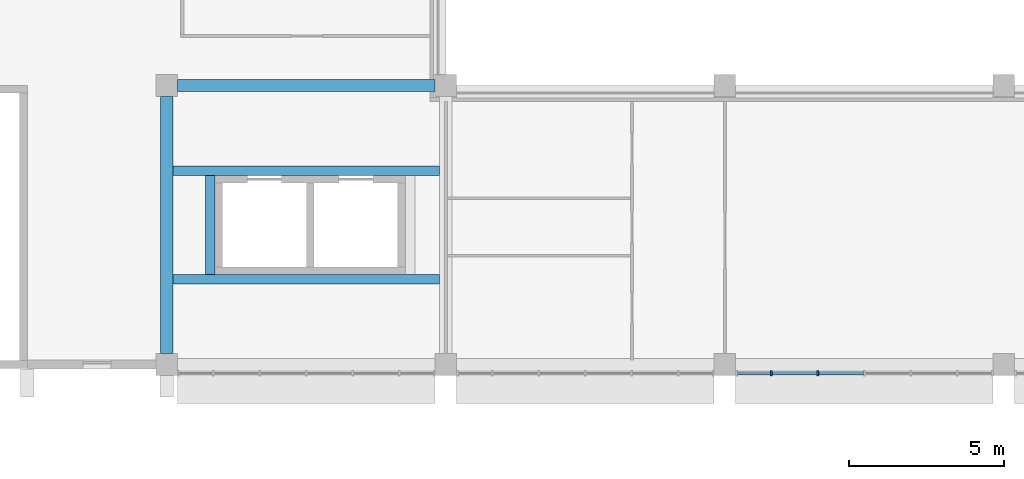
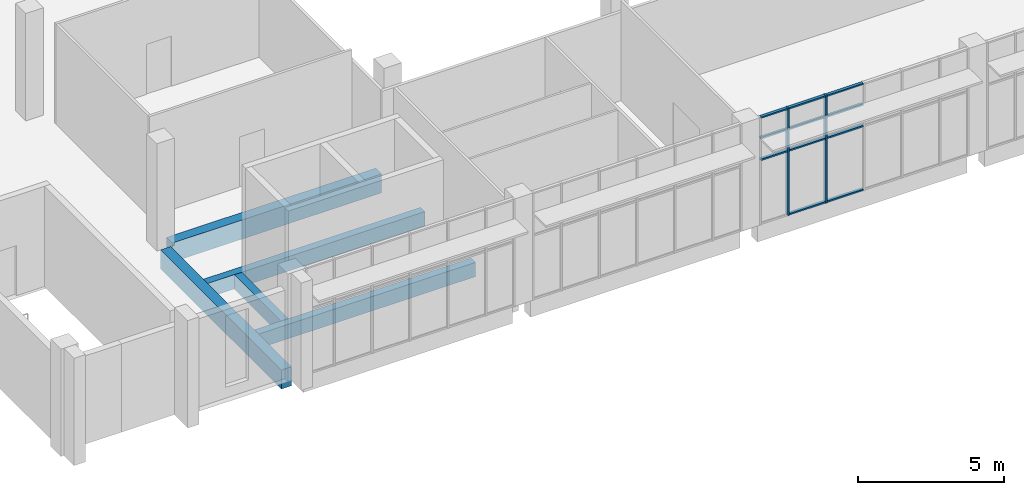
# One storey, part 3 of 40: 13 members, 5 beams, 1 element without a shape of its own.
"""IFC4 building model written with IfcOpenShell, lengths in metres."""

from ifc_helpers import new_model, si_unit, direction, frame, origin, origin_2d, place, context, subcontext, project, spatial, rectangle, extrude, material, layer, layer_set, material_profile, profile_set, type_object, element, aggregate, save


model = new_model("IFC4")

# Units and contexts
model_context = context("Model", 3, precision=1e-05, world=origin(), true_north=direction((0.0, 1.0)))
body_context = subcontext(model_context, "Body", "Model", "MODEL_VIEW")
ifc_project = project(units=[si_unit("LENGTHUNIT", "METRE"), si_unit("AREAUNIT", "SQUARE_METRE"), si_unit("VOLUMEUNIT", "CUBIC_METRE"), si_unit("PLANEANGLEUNIT", "RADIAN"), si_unit("MASSUNIT", "GRAM", prefix="KILO")], contexts=[model_context])

# Site, building, storey
site_placement = place(None, origin())
site = spatial("IfcSite", under=ifc_project, at=site_placement, CompositionType="ELEMENT")
building_placement = place(site_placement, origin())
building = spatial("IfcBuilding", under=site, at=building_placement, Name="Guidao Yard Department Store", CompositionType="ELEMENT")
storey_placement = place(building_placement, frame((0.0, 0.0, 24.0)))
storey = spatial("IfcBuildingStorey", under=building, at=storey_placement, Name="L05", CompositionType="ELEMENT", Elevation=24.0)

# Beams
ifc_material_1 = material(Name="Concrete C40", Category="concrete")
ifc_material_profile_1 = material_profile(ifc_material_1, rectangle(XDim=0.39990234375, YDim=0.800048828125, at=origin_2d()), Name="Edge beam 400 x 800 C40")
ifc_profile_set_1 = profile_set([ifc_material_profile_1], Name="Concrete C40")
beam_type_1 = type_object("IfcBeamType", Name="Edge beam 400 x 800 C40", PredefinedType="BEAM", material=ifc_profile_set_1)
for number, where, z_axis, x_axis, name in (
    (1, (9.35009765625, 54.0, -0.39990234375), (1.0, 0.0, 0.0), (0.0, 1.0, 0.0), "Beam EB31"),
    (2, (9.0, 45.35009765625, -0.39990234375), (0.0, 1.0, 0.0), (-1.0, 0.0, 0.0), "Beam EB32"),
):
    element("IfcBeam", number, at=place(storey_placement, frame(where, z_axis=z_axis, x_axis=x_axis)), inside=storey, type_object=beam_type_1, Name=name, PredefinedType="BEAM", context=body_context, shape_type="SweptSolid", body=[
        extrude(rectangle(XDim=0.39990234375, YDim=0.800048828125, at=origin_2d()), origin(), (0.0, 0.0, 1.0), 8.2998046875),
    ])

# Curtain wall, members
ifc_material_2 = material(Name="Aluminium and glass", Category="aluminium")
ifc_layer = layer(ifc_material_2, 0.159912109375)
ifc_layer_set = layer_set([ifc_layer], Name="Hall front curtain wall CW2 1500 module")
curtain_wall_type = type_object("IfcCurtainWallType", Name="Hall front curtain wall CW2 1500 module", PredefinedType="NOTDEFINED", material=ifc_layer_set)
curtain_wall_placement = place(storey_placement, origin())
curtain_wall = element("IfcCurtainWall", 3, at=curtain_wall_placement, inside=storey, type_object=curtain_wall_type, Name="Hall front curtain wall", PredefinedType="NOTDEFINED")
ifc_material_3 = material(Name="Aluminium 6063-T5", Category="aluminium")
ifc_material_profile_2 = material_profile(ifc_material_3, rectangle(XDim=0.06005859375, YDim=0.159912109375, at=origin_2d()), Name="Mullion M1 60 x 160 aluminium pressure plate")
ifc_profile_set_2 = profile_set([ifc_material_profile_2], Name="Aluminium 6063-T5")
member_type_1 = type_object("IfcMemberType", Name="Mullion M1 60 x 160 aluminium pressure plate", PredefinedType="MULLION", material=ifc_profile_set_2)
member_1_placement = place(storey_placement, frame((28.5, 44.719970703125, 0.0), z_axis=(0.0, 0.0, 1.0), x_axis=(-1.0, 0.0, 0.0)))
member_1 = element("IfcMember", 4, at=member_1_placement, type_object=member_type_1, Name="CW-HF-L05-03 mullion 2", PredefinedType="MULLION", context=body_context, shape_type="SweptSolid", body=[
    extrude(rectangle(XDim=0.06005859375, YDim=0.159912109375, at=origin_2d()), origin(), (0.0, 0.0, 1.0), 4.5),
])
member_2_placement = place(storey_placement, frame((30.0, 44.719970703125, 0.0), z_axis=(0.0, 0.0, 1.0), x_axis=(-1.0, 0.0, 0.0)))
member_2 = element("IfcMember", 5, at=member_2_placement, type_object=member_type_1, Name="CW-HF-L05-03 mullion 3", PredefinedType="MULLION", context=body_context, shape_type="SweptSolid", body=[
    extrude(rectangle(XDim=0.06005859375, YDim=0.159912109375, at=origin_2d()), origin(), (0.0, 0.0, 1.0), 4.5),
])

# Beams
ifc_material_4 = material(Name="Concrete C40", Category="concrete")
ifc_material_profile_3 = material_profile(ifc_material_4, rectangle(XDim=0.300048828125, YDim=0.60009765625, at=origin_2d()), Name="Opening beam 300 x 600 C40")
ifc_profile_set_3 = profile_set([ifc_material_profile_3], Name="Concrete C40")
beam_type_2 = type_object("IfcBeamType", Name="Opening beam 300 x 600 C40", PredefinedType="BEAM", material=ifc_profile_set_3)
for number, where, z_axis, x_axis, name in (
    (6, (9.199951171875, 47.75, -0.300048828125), (1.0, 0.0, 0.0), (0.0, 1.0, 0.0), "Beam OB01"),
    (7, (9.199951171875, 51.25, -0.300048828125), (1.0, 0.0, 0.0), (0.0, 1.0, 0.0), "Beam OB02"),
):
    element("IfcBeam", number, at=place(storey_placement, frame(where, z_axis=z_axis, x_axis=x_axis)), inside=storey, type_object=beam_type_2, Name=name, PredefinedType="BEAM", context=body_context, shape_type="SweptSolid", body=[
        extrude(rectangle(XDim=0.300048828125, YDim=0.60009765625, at=origin_2d()), origin(), (0.0, 0.0, 1.0), 8.60009765625),
    ])
beam_placement = place(storey_placement, frame((10.39990234375, 47.89990234375, -0.300048828125), z_axis=(0.0, 1.0, 0.0), x_axis=(-1.0, 0.0, 0.0)))
element("IfcBeam", 8, at=beam_placement, inside=storey, type_object=beam_type_2, Name="Beam OB03", PredefinedType="BEAM", context=body_context, shape_type="SweptSolid", body=[
    extrude(rectangle(XDim=0.300048828125, YDim=0.60009765625, at=origin_2d()), origin(), (0.0, 0.0, 1.0), 3.2001953125),
])

# Member
ifc_material_5 = material(Name="Aluminium 6063-T5", Category="aluminium")
ifc_material_profile_4 = material_profile(ifc_material_5, rectangle(XDim=0.1201171875, YDim=0.06005859375, at=origin_2d()), Name="Transom T1 60 x 120 aluminium pressure plate")
ifc_profile_set_4 = profile_set([ifc_material_profile_4], Name="Aluminium 6063-T5")
member_type_2 = type_object("IfcMemberType", Name="Transom T1 60 x 120 aluminium pressure plate", PredefinedType="USERDEFINED", material=ifc_profile_set_4)
member_3_placement = place(storey_placement, frame((28.469970703125, 44.719970703125, 2.699951171875), z_axis=(-1.0, 0.0, 0.0), x_axis=(0.0, -1.0, 0.0)))
member_3 = element("IfcMember", 9, at=member_3_placement, type_object=member_type_2, Name="CW-HF-L05-03 transom 1.2", ObjectType="TRANSOM", PredefinedType="USERDEFINED", context=body_context, shape_type="SweptSolid", body=[
    extrude(rectangle(XDim=0.1201171875, YDim=0.06005859375, at=origin_2d()), origin(), (0.0, 0.0, 1.0), 1.06005859375),
])

member_4_placement = place(storey_placement, frame((28.469970703125, 44.719970703125, 3.60009765625), z_axis=(-1.0, 0.0, 0.0), x_axis=(0.0, -1.0, 0.0)))
member_4 = element("IfcMember", 10, at=member_4_placement, type_object=member_type_2, Name="CW-HF-L05-03 transom 1.3", ObjectType="TRANSOM", PredefinedType="USERDEFINED", context=body_context, shape_type="SweptSolid", body=[
    extrude(rectangle(XDim=0.1201171875, YDim=0.06005859375, at=origin_2d()), origin(), (0.0, 0.0, 1.0), 1.06005859375),
])

member_5_placement = place(storey_placement, frame((28.469970703125, 44.719970703125, 4.469970703125), z_axis=(-1.0, 0.0, 0.0), x_axis=(0.0, -1.0, 0.0)))
member_5 = element("IfcMember", 11, at=member_5_placement, type_object=member_type_2, Name="CW-HF-L05-03 transom 1.4", ObjectType="TRANSOM", PredefinedType="USERDEFINED", context=body_context, shape_type="SweptSolid", body=[
    extrude(rectangle(XDim=0.1201171875, YDim=0.06005859375, at=origin_2d()), origin(), (0.0, 0.0, 1.0), 1.06005859375),
])

member_6_placement = place(storey_placement, frame((29.969970703125, 44.719970703125, 0.030029296875), z_axis=(-1.0, 0.0, 0.0), x_axis=(0.0, -1.0, 0.0)))
member_6 = element("IfcMember", 12, at=member_6_placement, type_object=member_type_2, Name="CW-HF-L05-03 transom 2.1", ObjectType="TRANSOM", PredefinedType="USERDEFINED", context=body_context, shape_type="SweptSolid", body=[
    extrude(rectangle(XDim=0.1201171875, YDim=0.06005859375, at=origin_2d()), origin(), (0.0, 0.0, 1.0), 1.43994140625),
])

member_7_placement = place(storey_placement, frame((29.969970703125, 44.719970703125, 2.699951171875), z_axis=(-1.0, 0.0, 0.0), x_axis=(0.0, -1.0, 0.0)))
member_7 = element("IfcMember", 13, at=member_7_placement, type_object=member_type_2, Name="CW-HF-L05-03 transom 2.2", ObjectType="TRANSOM", PredefinedType="USERDEFINED", context=body_context, shape_type="SweptSolid", body=[
    extrude(rectangle(XDim=0.1201171875, YDim=0.06005859375, at=origin_2d()), origin(), (0.0, 0.0, 1.0), 1.43994140625),
])

member_8_placement = place(storey_placement, frame((29.969970703125, 44.719970703125, 3.60009765625), z_axis=(-1.0, 0.0, 0.0), x_axis=(0.0, -1.0, 0.0)))
member_8 = element("IfcMember", 14, at=member_8_placement, type_object=member_type_2, Name="CW-HF-L05-03 transom 2.3", ObjectType="TRANSOM", PredefinedType="USERDEFINED", context=body_context, shape_type="SweptSolid", body=[
    extrude(rectangle(XDim=0.1201171875, YDim=0.06005859375, at=origin_2d()), origin(), (0.0, 0.0, 1.0), 1.43994140625),
])

member_9_placement = place(storey_placement, frame((29.969970703125, 44.719970703125, 4.469970703125), z_axis=(-1.0, 0.0, 0.0), x_axis=(0.0, -1.0, 0.0)))
member_9 = element("IfcMember", 15, at=member_9_placement, type_object=member_type_2, Name="CW-HF-L05-03 transom 2.4", ObjectType="TRANSOM", PredefinedType="USERDEFINED", context=body_context, shape_type="SweptSolid", body=[
    extrude(rectangle(XDim=0.1201171875, YDim=0.06005859375, at=origin_2d()), origin(), (0.0, 0.0, 1.0), 1.43994140625),
])

member_10_placement = place(storey_placement, frame((31.469970703125, 44.719970703125, 0.030029296875), z_axis=(-1.0, 0.0, 0.0), x_axis=(0.0, -1.0, 0.0)))
member_10 = element("IfcMember", 16, at=member_10_placement, type_object=member_type_2, Name="CW-HF-L05-03 transom 3.1", ObjectType="TRANSOM", PredefinedType="USERDEFINED", context=body_context, shape_type="SweptSolid", body=[
    extrude(rectangle(XDim=0.1201171875, YDim=0.06005859375, at=origin_2d()), origin(), (0.0, 0.0, 1.0), 1.43994140625),
])

member_11_placement = place(storey_placement, frame((31.469970703125, 44.719970703125, 2.699951171875), z_axis=(-1.0, 0.0, 0.0), x_axis=(0.0, -1.0, 0.0)))
member_11 = element("IfcMember", 17, at=member_11_placement, type_object=member_type_2, Name="CW-HF-L05-03 transom 3.2", ObjectType="TRANSOM", PredefinedType="USERDEFINED", context=body_context, shape_type="SweptSolid", body=[
    extrude(rectangle(XDim=0.1201171875, YDim=0.06005859375, at=origin_2d()), origin(), (0.0, 0.0, 1.0), 1.43994140625),
])

member_12_placement = place(storey_placement, frame((31.469970703125, 44.719970703125, 3.60009765625), z_axis=(-1.0, 0.0, 0.0), x_axis=(0.0, -1.0, 0.0)))
member_12 = element("IfcMember", 18, at=member_12_placement, type_object=member_type_2, Name="CW-HF-L05-03 transom 3.3", ObjectType="TRANSOM", PredefinedType="USERDEFINED", context=body_context, shape_type="SweptSolid", body=[
    extrude(rectangle(XDim=0.1201171875, YDim=0.06005859375, at=origin_2d()), origin(), (0.0, 0.0, 1.0), 1.43994140625),
])

member_13_placement = place(storey_placement, frame((31.469970703125, 44.719970703125, 4.469970703125), z_axis=(-1.0, 0.0, 0.0), x_axis=(0.0, -1.0, 0.0)))
member_13 = element("IfcMember", 19, at=member_13_placement, type_object=member_type_2, Name="CW-HF-L05-03 transom 3.4", ObjectType="TRANSOM", PredefinedType="USERDEFINED", context=body_context, shape_type="SweptSolid", body=[
    extrude(rectangle(XDim=0.1201171875, YDim=0.06005859375, at=origin_2d()), origin(), (0.0, 0.0, 1.0), 1.43994140625),
])

aggregate(curtain_wall, [member_1, member_2, member_3, member_4, member_5, member_6, member_7, member_8, member_9, member_10, member_11, member_12, member_13])

save(model, "model.ifc")
